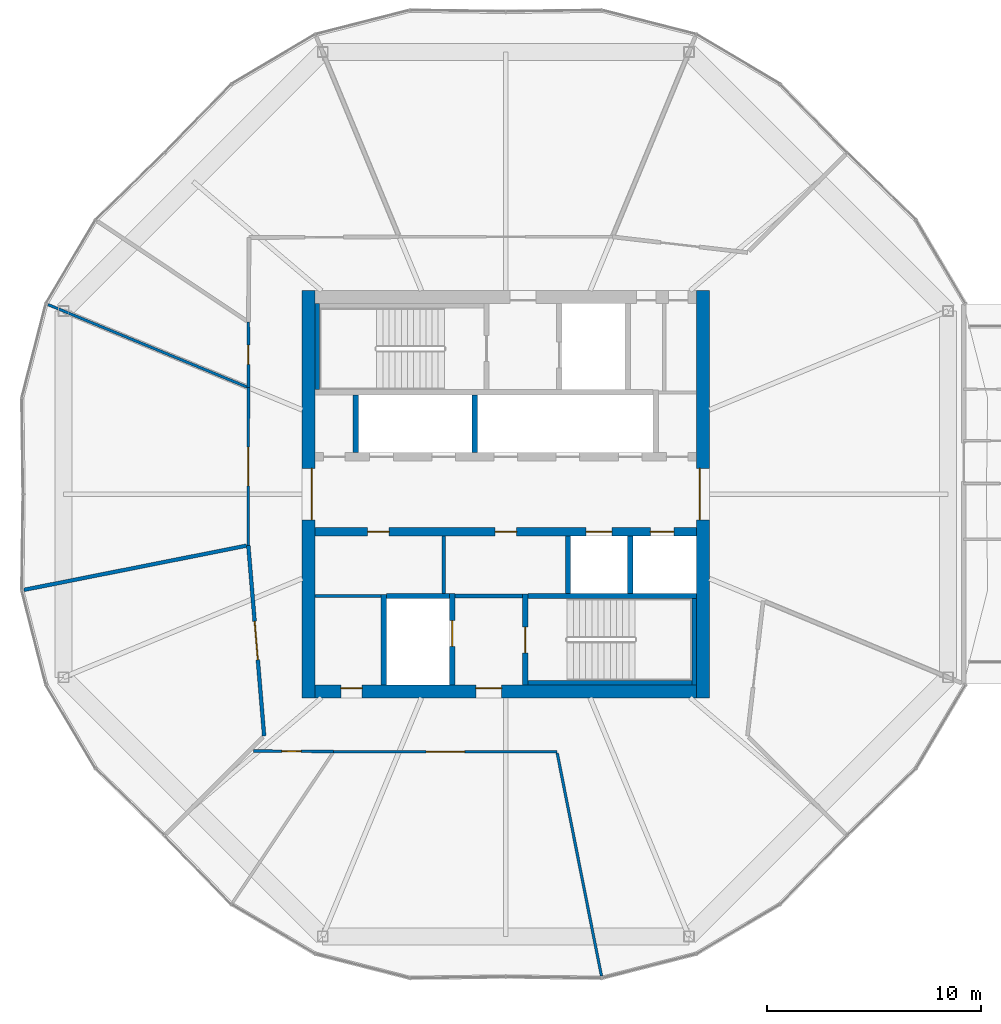
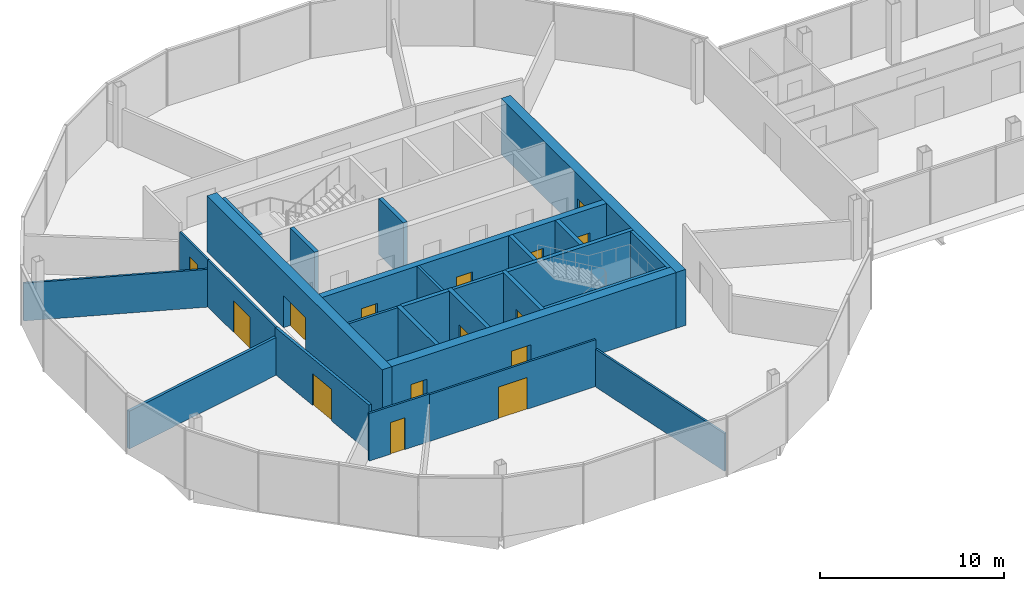
# One storey, part 19 of 25: 27 walls, 15 doors, 15 openings.
"""IFC4 building model written with IfcOpenShell, lengths in metres."""

from ifc_helpers import new_model, si_unit, direction, frame, frame_2d, origin, place, context, subcontext, project, spatial, rectangle, extrude, material, layer, layer_set, type_object, element, fill, save


model = new_model("IFC4")

# Units and contexts
model_context = context("Model", 3, precision=1e-05, world=origin(), true_north=direction((0.0, 1.0)))
body_context = subcontext(model_context, "Body", "Model", "MODEL_VIEW")
ifc_project = project(units=[si_unit("LENGTHUNIT", "METRE"), si_unit("AREAUNIT", "SQUARE_METRE"), si_unit("VOLUMEUNIT", "CUBIC_METRE"), si_unit("PLANEANGLEUNIT", "RADIAN"), si_unit("MASSUNIT", "GRAM", prefix="KILO")], contexts=[model_context])

# Site, building, storey
site_placement = place(None, origin())
site = spatial("IfcSite", under=ifc_project, at=site_placement, CompositionType="ELEMENT")
building_placement = place(site_placement, origin())
building = spatial("IfcBuilding", under=site, at=building_placement, Name="Ogive Gate Towers", CompositionType="ELEMENT")
storey_placement = place(building_placement, frame((0.0, 0.0, 152.800048828125)))
storey = spatial("IfcBuildingStorey", under=building, at=storey_placement, Name="L36", CompositionType="ELEMENT", Elevation=152.800048828125)

# Wall
ifc_material_1 = material(Name="Gypsum board acoustic partition")
ifc_layer_1 = layer(ifc_material_1, 0.175048828125)
ifc_layer_set_1 = layer_set([ifc_layer_1], Name="Acoustic partition 175")
wall_type_1 = type_object("IfcWallType", Name="Acoustic partition 175", PredefinedType="PARTITIONING", material=ifc_layer_set_1)
wall_1_placement = place(storey_placement, frame((-58.490478515625, -4.4658203125, 0.0), z_axis=(0.0, 0.0, 1.0), x_axis=(0.980847503019, 0.194777246675, 0.0)))
element("IfcWall", 1, at=wall_1_placement, inside=storey, type_object=wall_type_1, Name="Partition T1-L36-006", PredefinedType="PARTITIONING", context=body_context, shape_type="SweptSolid", body=[
    extrude(rectangle(XDim=10.591552734375, YDim=0.175048828125, at=frame_2d((5.2958984375, 0.0))), origin(), (0.0, 0.0, 1.0), 2.5),
])

# Wall, opening, door
wall_2_placement = place(storey_placement, frame((-48.01611328125, -2.385986328125, 0.0), z_axis=(0.0, 0.0, 1.0), x_axis=(0.082685439248, -0.99657569614, 0.0)))
wall_2 = element("IfcWall", 2, at=wall_2_placement, inside=storey, type_object=wall_type_1, Name="Partition T1-L36-018", PredefinedType="PARTITIONING", context=body_context, shape_type="SweptSolid", body=[
    extrude(rectangle(XDim=8.9228515625, YDim=0.175048828125, at=frame_2d((4.46142578125, 0.0))), origin(), (0.0, 0.0, 1.0), 3.099853515625),
])
opening_1_placement = place(wall_2_placement, frame((3.56103515625, 0.0, 0.0)))
opening_1 = element("IfcOpeningElement", 3, at=opening_1_placement, cuts=wall_2, Name="Opening T1-L36-D06", PredefinedType="OPENING", context=body_context, shape_type="SweptSolid", body=[
    extrude(rectangle(XDim=1.800048828125, YDim=2.10009765625, at=frame_2d((0.89990234375, 1.050048828125))), frame((0.0, 0.09765625, 0.0), z_axis=(0.0, -1.0, 0.0), x_axis=(1.0, 0.0, 0.0)), (0.0, 0.0, 1.0), 0.195068359375),
])
ifc_material_2 = material(Name="Timber door", Category="wood")
door_type_1 = type_object("IfcDoorType", Name="Door pair 1800", OperationType="NOTDEFINED", PredefinedType="DOOR", material=ifc_material_2)
door_1_placement = place(opening_1_placement, origin())
door_1 = element("IfcDoor", 4, at=door_1_placement, inside=storey, type_object=door_type_1, Name="Door T1-L36-D06", OperationType="DOUBLE_DOOR_DOUBLE_SWING", OverallHeight=2.10009765625, OverallWidth=1.800048828125, PredefinedType="DOOR", context=body_context, shape_type="SweptSolid", body=[
    extrude(rectangle(XDim=1.800048828125, YDim=2.10009765625, at=frame_2d((0.89990234375, 1.050048828125))), frame((0.0, 0.02490234375, 0.0), z_axis=(0.0, -1.0, 0.0), x_axis=(1.0, 0.0, 0.0)), (0.0, 0.0, 1.0), 0.050048828125),
])
fill(opening_1, door_1)

# Wall
ifc_material_3 = material(Name="Masonry blockwork", Category="masonry")
ifc_layer_2 = layer(ifc_material_3, 0.199951171875)
ifc_layer_set_2 = layer_set([ifc_layer_2], Name="Blockwork wall 200 mm")
wall_type_2 = type_object("IfcWallType", Name="Blockwork wall 200 mm", PredefinedType="PARTITIONING", material=ifc_layer_set_2)
wall_3_placement = place(storey_placement, frame((-38.375, -4.75, 0.0), z_axis=(0.0, 0.0, 1.0), x_axis=(1.0, 0.0, 0.0)))
element("IfcWall", 5, at=wall_3_placement, inside=storey, type_object=wall_type_2, Name="T1 L36 Blockwork wall 200 mm", PredefinedType="PARTITIONING", context=body_context, shape_type="SweptSolid", body=[
    extrude(rectangle(XDim=3.14990234375, YDim=0.199951171875, at=frame_2d((1.574951171875, 0.0))), origin(), (0.0, 0.0, 1.0), 3.699951171875),
])

# Wall, openings, doors
ifc_material_4 = material(Name="Concrete C60/75", Category="concrete")
ifc_layer_3 = layer(ifc_material_4, 0.60009765625)
ifc_layer_set_3 = layer_set([ifc_layer_3], Name="Core wall 600 mm")
wall_type_3 = type_object("IfcWallType", Name="Core wall 600 mm", PredefinedType="SHEAR", material=ifc_layer_set_3)
wall_4_placement = place(storey_placement, frame((-44.89990234375, -9.199951171875, 0.0), z_axis=(0.0, 0.0, 1.0), x_axis=(1.0, 0.0, 0.0)))
wall_4 = element("IfcWall", 6, at=wall_4_placement, inside=storey, type_object=wall_type_3, Name="T1 L36 Core wall 600 mm", PredefinedType="SHEAR", context=body_context, shape_type="SweptSolid", body=[
    extrude(rectangle(XDim=17.7998046875, YDim=0.60009765625, at=frame_2d((8.89990234375, 0.0))), origin(), (0.0, 0.0, 1.0), 3.699951171875),
])
opening_2_placement = place(wall_4_placement, frame((7.5, 0.0, 0.0)))
opening_2 = element("IfcOpeningElement", 7, at=opening_2_placement, cuts=wall_4, Name="Opening KD-T1-L36-19", PredefinedType="OPENING", context=body_context, shape_type="SweptSolid", body=[
    extrude(rectangle(XDim=1.199951171875, YDim=2.10009765625, at=frame_2d((0.60009765625, 1.050048828125))), frame((0.0, 0.31005859375, 0.0), z_axis=(0.0, -1.0, 0.0), x_axis=(1.0, 0.0, 0.0)), (0.0, 0.0, 1.0), 0.6201171875),
])
opening_3_placement = place(wall_4_placement, frame((1.199951171875, 0.0, 0.0)))
opening_3 = element("IfcOpeningElement", 8, at=opening_3_placement, cuts=wall_4, Name="Opening KD-T1-L36-22", PredefinedType="OPENING", context=body_context, shape_type="SweptSolid", body=[
    extrude(rectangle(XDim=1.0, YDim=2.10009765625, at=frame_2d((0.5, 1.050048828125))), frame((0.0, 0.31005859375, 0.0), z_axis=(0.0, -1.0, 0.0), x_axis=(1.0, 0.0, 0.0)), (0.0, 0.0, 1.0), 0.6201171875),
])
door_type_2 = type_object("IfcDoorType", Name="Accessible WC door 1000 x 2100", OperationType="NOTDEFINED", PredefinedType="DOOR", material=ifc_material_2)
door_2_placement = place(opening_3_placement, origin())
door_2 = element("IfcDoor", 9, at=door_2_placement, inside=storey, type_object=door_type_2, Name="T1 L36 Core door", OperationType="SINGLE_SWING_LEFT", OverallHeight=2.10009765625, OverallWidth=1.0, PredefinedType="DOOR", context=body_context, shape_type="SweptSolid", body=[
    extrude(rectangle(XDim=1.0, YDim=2.10009765625, at=frame_2d((0.5, 1.050048828125))), frame((0.0, 0.1748046875, 0.0), z_axis=(0.0, -1.0, 0.0), x_axis=(1.0, 0.0, 0.0)), (0.0, 0.0, 1.0), 0.050048828125),
])
fill(opening_3, door_2)
ifc_material_5 = material(Name="Steel fire door", Category="steel")
door_type_3 = type_object("IfcDoorType", Name="Core door FD60S 1200 x 2100", OperationType="NOTDEFINED", PredefinedType="DOOR", material=ifc_material_5)
door_3_placement = place(opening_2_placement, origin())
door_3 = element("IfcDoor", 10, at=door_3_placement, inside=storey, type_object=door_type_3, Name="T1 L36 Fire-fighting lobby door", OperationType="SINGLE_SWING_RIGHT", OverallHeight=2.10009765625, OverallWidth=1.199951171875, PredefinedType="DOOR", context=body_context, shape_type="SweptSolid", body=[
    extrude(rectangle(XDim=1.199951171875, YDim=2.10009765625, at=frame_2d((0.60009765625, 1.050048828125))), frame((0.0, 0.1748046875, 0.0), z_axis=(0.0, -1.0, 0.0), x_axis=(1.0, 0.0, 0.0)), (0.0, 0.0, 1.0), 0.050048828125),
])
fill(opening_2, door_3)

# Wall, opening, door
wall_5_placement = place(storey_placement, frame((-45.199951171875, -9.5, 0.0), z_axis=(0.0, 0.0, 1.0), x_axis=(0.0, 1.0, 0.0)))
wall_5 = element("IfcWall", 11, at=wall_5_placement, inside=storey, type_object=wall_type_3, Name="T1 L36 Core wall 600 mm", PredefinedType="SHEAR", context=body_context, shape_type="SweptSolid", body=[
    extrude(rectangle(XDim=19.0, YDim=0.60009765625, at=frame_2d((9.5, 0.0))), origin(), (0.0, 0.0, 1.0), 3.699951171875),
])
opening_4_placement = place(wall_5_placement, frame((8.300048828125, 0.0, 0.0)))
opening_4 = element("IfcOpeningElement", 12, at=opening_4_placement, cuts=wall_5, Name="Opening KD-T1-L36-01", PredefinedType="OPENING", context=body_context, shape_type="SweptSolid", body=[
    extrude(rectangle(XDim=2.39990234375, YDim=2.10009765625, at=frame_2d((1.199951171875, 1.050048828125))), frame((0.0, 0.31005859375, 0.0), z_axis=(0.0, -1.0, 0.0), x_axis=(1.0, 0.0, 0.0)), (0.0, 0.0, 1.0), 0.6201171875),
])
door_type_4 = type_object("IfcDoorType", Name="Core double door FD60S 2400 x 2100", OperationType="DOUBLE_DOOR_SINGLE_SWING", PredefinedType="DOOR", material=ifc_material_5)
door_4_placement = place(opening_4_placement, origin())
door_4 = element("IfcDoor", 13, at=door_4_placement, inside=storey, type_object=door_type_4, Name="T1 L36 Core door double", OperationType="DOUBLE_DOOR_SINGLE_SWING", OverallHeight=2.10009765625, OverallWidth=2.39990234375, PredefinedType="DOOR", context=body_context, shape_type="SweptSolid", body=[
    extrude(rectangle(XDim=2.39990234375, YDim=2.10009765625, at=frame_2d((1.199951171875, 1.050048828125))), frame((0.0, -0.125, 0.0), z_axis=(0.0, -1.0, 0.0), x_axis=(1.0, 0.0, 0.0)), (0.0, 0.0, 1.0), 0.050048828125),
])
fill(opening_4, door_4)

wall_6_placement = place(storey_placement, frame((-26.800048828125, -9.5, 0.0), z_axis=(0.0, 0.0, 1.0), x_axis=(0.0, 1.0, 0.0)))
wall_6 = element("IfcWall", 14, at=wall_6_placement, inside=storey, type_object=wall_type_3, Name="T1 L36 Core wall 600 mm", PredefinedType="SHEAR", context=body_context, shape_type="SweptSolid", body=[
    extrude(rectangle(XDim=19.0, YDim=0.60009765625, at=frame_2d((9.5, 0.0))), origin(), (0.0, 0.0, 1.0), 3.699951171875),
])
opening_5_placement = place(wall_6_placement, frame((8.300048828125, 0.0, 0.0)))
opening_5 = element("IfcOpeningElement", 15, at=opening_5_placement, cuts=wall_6, Name="Opening KD-T1-L36-02", PredefinedType="OPENING", context=body_context, shape_type="SweptSolid", body=[
    extrude(rectangle(XDim=2.39990234375, YDim=2.10009765625, at=frame_2d((1.199951171875, 1.050048828125))), frame((0.0, 0.31005859375, 0.0), z_axis=(0.0, -1.0, 0.0), x_axis=(1.0, 0.0, 0.0)), (0.0, 0.0, 1.0), 0.6201171875),
])
door_5_placement = place(opening_5_placement, origin())
door_5 = element("IfcDoor", 16, at=door_5_placement, inside=storey, type_object=door_type_4, Name="T1 L36 Core door double", OperationType="DOUBLE_DOOR_SINGLE_SWING", OverallHeight=2.10009765625, OverallWidth=2.39990234375, PredefinedType="DOOR", context=body_context, shape_type="SweptSolid", body=[
    extrude(rectangle(XDim=2.39990234375, YDim=2.10009765625, at=frame_2d((1.199951171875, 1.050048828125))), frame((0.0, 0.1748046875, 0.0), z_axis=(0.0, -1.0, 0.0), x_axis=(1.0, 0.0, 0.0)), (0.0, 0.0, 1.0), 0.050048828125),
])
fill(opening_5, door_5)

# Walls
ifc_material_6 = material(Name="Gypsum board partition")
ifc_layer_4 = layer(ifc_material_6, 0.125)
ifc_layer_set_4 = layer_set([ifc_layer_4], Name="Partition 125")
wall_type_4 = type_object("IfcWallType", Name="Partition 125", PredefinedType="PARTITIONING", material=ifc_layer_set_4)
wall_7_placement = place(storey_placement, frame((-57.369384765625, 8.851318359375, 0.0), z_axis=(0.0, 0.0, 1.0), x_axis=(0.923888548062, -0.382661666176, 0.0)))
element("IfcWall", 17, at=wall_7_placement, inside=storey, type_object=wall_type_4, Name="Partition T1-L36-005", PredefinedType="PARTITIONING", context=body_context, shape_type="SweptSolid", body=[
    extrude(rectangle(XDim=10.06640625, YDim=0.125, at=frame_2d((5.033203125, 0.0))), origin(), (0.0, 0.0, 1.0), 2.5),
])
wall_8_placement = place(storey_placement, frame((-31.5341796875, -22.490478515625, 0.0), z_axis=(0.0, 0.0, 1.0), x_axis=(-0.194758262872, 0.980851272642, 0.0)))
element("IfcWall", 18, at=wall_8_placement, inside=storey, type_object=wall_type_4, Name="Partition T1-L36-009", PredefinedType="PARTITIONING", context=body_context, shape_type="SweptSolid", body=[
    extrude(rectangle(XDim=10.616455078125, YDim=0.125, at=frame_2d((5.30810546875, 0.0))), origin(), (0.0, 0.0, 1.0), 2.5),
])

# Wall, opening, door
wall_9_placement = place(storey_placement, frame((-48.012451171875, 8.032470703125, 0.0), z_axis=(0.0, 0.0, 1.0), x_axis=(0.000319437773, -0.99999994898, 0.0)))
wall_9 = element("IfcWall", 19, at=wall_9_placement, inside=storey, type_object=wall_type_4, Name="Partition T1-L36-016", PredefinedType="PARTITIONING", context=body_context, shape_type="SweptSolid", body=[
    extrude(rectangle(XDim=3.05712890625, YDim=0.125, at=frame_2d((1.528564453125, 0.0))), origin(), (0.0, 0.0, 1.0), 3.099853515625),
])
opening_6_placement = place(wall_9_placement, frame((1.0791015625, 0.0, 0.0)))
opening_6 = element("IfcOpeningElement", 20, at=opening_6_placement, cuts=wall_9, Name="Opening T1-L36-D04", PredefinedType="OPENING", context=body_context, shape_type="SweptSolid", body=[
    extrude(rectangle(XDim=0.89990234375, YDim=2.10009765625, at=frame_2d((0.449951171875, 1.050048828125))), frame((0.0, 0.072509765625, 0.0), z_axis=(0.0, -1.0, 0.0), x_axis=(1.0, 0.0, 0.0)), (0.0, 0.0, 1.0), 0.14501953125),
])
door_type_5 = type_object("IfcDoorType", Name="Door 900", OperationType="NOTDEFINED", PredefinedType="DOOR", material=ifc_material_2)
door_6_placement = place(opening_6_placement, origin())
door_6 = element("IfcDoor", 21, at=door_6_placement, inside=storey, type_object=door_type_5, Name="Door T1-L36-D04", OperationType="SINGLE_SWING_LEFT", OverallHeight=2.10009765625, OverallWidth=0.89990234375, PredefinedType="DOOR", context=body_context, shape_type="SweptSolid", body=[
    extrude(rectangle(XDim=0.89990234375, YDim=2.10009765625, at=frame_2d((0.449951171875, 1.050048828125))), frame((0.0, 0.02490234375, 0.0), z_axis=(0.0, -1.0, 0.0), x_axis=(1.0, 0.0, 0.0)), (0.0, 0.0, 1.0), 0.050048828125),
])
fill(opening_6, door_6)

wall_10_placement = place(storey_placement, frame((-48.011474609375, 4.975341796875, 0.0), z_axis=(0.0, 0.0, 1.0), x_axis=(-0.000630140496, -0.999999801461, 0.0)))
wall_10 = element("IfcWall", 22, at=wall_10_placement, inside=storey, type_object=wall_type_4, Name="Partition T1-L36-017", PredefinedType="PARTITIONING", context=body_context, shape_type="SweptSolid", body=[
    extrude(rectangle(XDim=7.361328125, YDim=0.125, at=frame_2d((3.6806640625, 0.0))), origin(), (0.0, 0.0, 1.0), 3.099853515625),
])
opening_7_placement = place(wall_10_placement, frame((2.781005859375, 0.0, 0.0)))
opening_7 = element("IfcOpeningElement", 23, at=opening_7_placement, cuts=wall_10, Name="Opening T1-L36-D05", PredefinedType="OPENING", context=body_context, shape_type="SweptSolid", body=[
    extrude(rectangle(XDim=1.800048828125, YDim=2.10009765625, at=frame_2d((0.89990234375, 1.050048828125))), frame((0.0, 0.072509765625, 0.0), z_axis=(0.0, -1.0, 0.0), x_axis=(1.0, 0.0, 0.0)), (0.0, 0.0, 1.0), 0.14501953125),
])
door_7_placement = place(opening_7_placement, origin())
door_7 = element("IfcDoor", 24, at=door_7_placement, inside=storey, type_object=door_type_1, Name="Door T1-L36-D05", OperationType="DOUBLE_DOOR_DOUBLE_SWING", OverallHeight=2.10009765625, OverallWidth=1.800048828125, PredefinedType="DOOR", context=body_context, shape_type="SweptSolid", body=[
    extrude(rectangle(XDim=1.800048828125, YDim=2.10009765625, at=frame_2d((0.89990234375, 1.050048828125))), frame((0.0, 0.02490234375, 0.0), z_axis=(0.0, -1.0, 0.0), x_axis=(1.0, 0.0, 0.0)), (0.0, 0.0, 1.0), 0.050048828125),
])
fill(opening_7, door_7)

wall_11_placement = place(storey_placement, frame((-47.785888671875, -11.981689453125, 0.0), z_axis=(0.0, 0.0, 1.0), x_axis=(0.999966417311, -0.00819537977, 0.0)))
wall_11 = element("IfcWall", 25, at=wall_11_placement, inside=storey, type_object=wall_type_4, Name="Partition T1-L36-019", PredefinedType="PARTITIONING", context=body_context, shape_type="SweptSolid", body=[
    extrude(rectangle(XDim=3.753662109375, YDim=0.125, at=frame_2d((1.876953125, 0.0))), origin(), (0.0, 0.0, 1.0), 3.14990234375),
])
opening_8_placement = place(wall_11_placement, frame((1.330078125, 0.0, 0.0)))
opening_8 = element("IfcOpeningElement", 26, at=opening_8_placement, cuts=wall_11, Name="Opening T1-L36-D07", PredefinedType="OPENING", context=body_context, shape_type="SweptSolid", body=[
    extrude(rectangle(XDim=0.89990234375, YDim=2.10009765625, at=frame_2d((0.449951171875, 1.050048828125))), frame((0.0, 0.072509765625, 0.0), z_axis=(0.0, -1.0, 0.0), x_axis=(1.0, 0.0, 0.0)), (0.0, 0.0, 1.0), 0.14501953125),
])
door_8_placement = place(opening_8_placement, origin())
door_8 = element("IfcDoor", 27, at=door_8_placement, inside=storey, type_object=door_type_5, Name="Door T1-L36-D07", OperationType="SINGLE_SWING_LEFT", OverallHeight=2.10009765625, OverallWidth=0.89990234375, PredefinedType="DOOR", context=body_context, shape_type="SweptSolid", body=[
    extrude(rectangle(XDim=0.89990234375, YDim=2.10009765625, at=frame_2d((0.449951171875, 1.050048828125))), frame((0.0, 0.02490234375, 0.0), z_axis=(0.0, -1.0, 0.0), x_axis=(1.0, 0.0, 0.0)), (0.0, 0.0, 1.0), 0.050048828125),
])
fill(opening_8, door_8)

wall_12_placement = place(storey_placement, frame((-44.032470703125, -12.012451171875, 0.0), z_axis=(0.0, 0.0, 1.0), x_axis=(0.999999938223, -0.000351502064, 0.0)))
wall_12 = element("IfcWall", 28, at=wall_12_placement, inside=storey, type_object=wall_type_4, Name="Partition T1-L36-020", PredefinedType="PARTITIONING", context=body_context, shape_type="SweptSolid", body=[
    extrude(rectangle(XDim=10.41845703125, YDim=0.125, at=frame_2d((5.209228515625, 0.0))), origin(), (0.0, 0.0, 1.0), 3.099853515625),
])
opening_9_placement = place(wall_12_placement, frame((4.30908203125, 0.0, 0.0)))
opening_9 = element("IfcOpeningElement", 29, at=opening_9_placement, cuts=wall_12, Name="Opening T1-L36-D08", PredefinedType="OPENING", context=body_context, shape_type="SweptSolid", body=[
    extrude(rectangle(XDim=1.800048828125, YDim=2.10009765625, at=frame_2d((0.89990234375, 1.050048828125))), frame((0.0, 0.072509765625, 0.0), z_axis=(0.0, -1.0, 0.0), x_axis=(1.0, 0.0, 0.0)), (0.0, 0.0, 1.0), 0.14501953125),
])
door_9_placement = place(opening_9_placement, origin())
door_9 = element("IfcDoor", 30, at=door_9_placement, inside=storey, type_object=door_type_1, Name="Door T1-L36-D08", OperationType="DOUBLE_DOOR_DOUBLE_SWING", OverallHeight=2.10009765625, OverallWidth=1.800048828125, PredefinedType="DOOR", context=body_context, shape_type="SweptSolid", body=[
    extrude(rectangle(XDim=1.800048828125, YDim=2.10009765625, at=frame_2d((0.89990234375, 1.050048828125))), frame((0.0, 0.02490234375, 0.0), z_axis=(0.0, -1.0, 0.0), x_axis=(1.0, 0.0, 0.0)), (0.0, 0.0, 1.0), 0.050048828125),
])
fill(opening_9, door_9)

# Walls
ifc_layer_5 = layer(ifc_material_6, 0.14990234375)
ifc_layer_set_5 = layer_set([ifc_layer_5], Name="Room partition 150 mm")
wall_type_5 = type_object("IfcWallType", Name="Room partition 150 mm", PredefinedType="PARTITIONING", material=ifc_layer_set_5)
wall_13_placement = place(storey_placement, frame((-44.89990234375, -4.75, 0.0), z_axis=(0.0, 0.0, 1.0), x_axis=(1.0, 0.0, 0.0)))
element("IfcWall", 31, at=wall_13_placement, inside=storey, type_object=wall_type_5, Name="T1 L36 Room partition 150 mm", PredefinedType="PARTITIONING", context=body_context, shape_type="SweptSolid", body=[
    extrude(rectangle(XDim=3.074951171875, YDim=0.14990234375, at=frame_2d((1.53759765625, 0.0))), origin(), (0.0, 0.0, 1.0), 3.699951171875),
])
wall_14_placement = place(storey_placement, frame((-38.89990234375, -4.625, 0.0), z_axis=(0.0, 0.0, 1.0), x_axis=(0.0, 1.0, 0.0)))
element("IfcWall", 32, at=wall_14_placement, inside=storey, type_object=wall_type_5, Name="T1 L36 Room partition 150 mm", PredefinedType="PARTITIONING", context=body_context, shape_type="SweptSolid", body=[
    extrude(rectangle(XDim=2.675048828125, YDim=0.14990234375, at=frame_2d((1.33740234375, 0.0))), origin(), (0.0, 0.0, 1.0), 3.699951171875),
])
ifc_layer_6 = layer(ifc_material_4, 0.25)
ifc_layer_set_6 = layer_set([ifc_layer_6], Name="Shaft wall 250 mm")
wall_type_6 = type_object("IfcWallType", Name="Shaft wall 250 mm", PredefinedType="SHEAR", material=ifc_layer_set_6)
wall_15_placement = place(storey_placement, frame((-41.574951171875, -4.75, 0.0), z_axis=(0.0, 0.0, 1.0), x_axis=(1.0, 0.0, 0.0)))
element("IfcWall", 33, at=wall_15_placement, inside=storey, type_object=wall_type_6, Name="T1 L36 Shaft wall 250 mm", PredefinedType="SHEAR", context=body_context, shape_type="SweptSolid", body=[
    extrude(rectangle(XDim=2.949951171875, YDim=0.25, at=frame_2d((1.47509765625, 0.0))), origin(), (0.0, 0.0, 1.0), 3.699951171875),
])
wall_16_placement = place(storey_placement, frame((-34.97509765625, -4.75, 0.0), z_axis=(0.0, 0.0, 1.0), x_axis=(1.0, 0.0, 0.0)))
element("IfcWall", 34, at=wall_16_placement, inside=storey, type_object=wall_type_6, Name="T1 L36 Shaft wall 250 mm", PredefinedType="SHEAR", context=body_context, shape_type="SweptSolid", body=[
    extrude(rectangle(XDim=7.875, YDim=0.25, at=frame_2d((3.9375, 0.0))), origin(), (0.0, 0.0, 1.0), 3.699951171875),
])
wall_17_placement = place(storey_placement, frame((-43.0, 1.949951171875, 0.0), z_axis=(0.0, 0.0, 1.0), x_axis=(0.0, 1.0, 0.0)))
element("IfcWall", 35, at=wall_17_placement, inside=storey, type_object=wall_type_6, Name="T1 L36 Shaft wall 250 mm", PredefinedType="SHEAR", context=body_context, shape_type="SweptSolid", body=[
    extrude(rectangle(XDim=2.675048828125, YDim=0.25, at=frame_2d((1.33740234375, 0.0))), origin(), (0.0, 0.0, 1.0), 3.699951171875),
])
wall_18_placement = place(storey_placement, frame((-41.699951171875, -8.89990234375, 0.0), z_axis=(0.0, 0.0, 1.0), x_axis=(0.0, 1.0, 0.0)))
element("IfcWall", 36, at=wall_18_placement, inside=storey, type_object=wall_type_6, Name="T1 L36 Shaft wall 250 mm", PredefinedType="SHEAR", context=body_context, shape_type="SweptSolid", body=[
    extrude(rectangle(XDim=4.224853515625, YDim=0.25, at=frame_2d((2.1123046875, 0.0))), origin(), (0.0, 0.0, 1.0), 3.699951171875),
])

# Wall, opening, door
wall_19_placement = place(storey_placement, frame((-38.5, -8.89990234375, 0.0), z_axis=(0.0, 0.0, 1.0), x_axis=(0.0, 1.0, 0.0)))
wall_19 = element("IfcWall", 37, at=wall_19_placement, inside=storey, type_object=wall_type_6, Name="T1 L36 Shaft wall 250 mm", PredefinedType="SHEAR", context=body_context, shape_type="SweptSolid", body=[
    extrude(rectangle(XDim=4.27490234375, YDim=0.25, at=frame_2d((2.137451171875, 0.0))), origin(), (0.0, 0.0, 1.0), 3.699951171875),
])
opening_10_placement = place(wall_19_placement, frame((1.800048828125, 0.0, 0.0)))
opening_10 = element("IfcOpeningElement", 38, at=opening_10_placement, cuts=wall_19, Name="Opening LD-T1-L36-13", PredefinedType="OPENING", context=body_context, shape_type="SweptSolid", body=[
    extrude(rectangle(XDim=1.199951171875, YDim=2.10009765625, at=frame_2d((0.60009765625, 1.050048828125))), frame((0.0, 0.135009765625, 0.0), z_axis=(0.0, -1.0, 0.0), x_axis=(1.0, 0.0, 0.0)), (0.0, 0.0, 1.0), 0.27001953125),
])
ifc_material_7 = material(Name="Stainless steel landing door", Category="steel")
door_type_6 = type_object("IfcDoorType", Name="Landing door 1200 x 2100", OperationType="SLIDING_TO_LEFT", PredefinedType="DOOR", material=ifc_material_7)
door_10_placement = place(opening_10_placement, origin())
door_10 = element("IfcDoor", 39, at=door_10_placement, inside=storey, type_object=door_type_6, Name="T1 L36 Lift landing door FF2", OperationType="SLIDING_TO_LEFT", OverallHeight=2.10009765625, OverallWidth=1.199951171875, PredefinedType="DOOR", context=body_context, shape_type="SweptSolid", body=[
    extrude(rectangle(XDim=1.199951171875, YDim=2.10009765625, at=frame_2d((0.60009765625, 1.050048828125))), frame((0.0, 0.02490234375, 0.0), z_axis=(0.0, -1.0, 0.0), x_axis=(1.0, 0.0, 0.0)), (0.0, 0.0, 1.0), 0.050048828125),
])
fill(opening_10, door_10)

# Wall
wall_20_placement = place(storey_placement, frame((-37.449951171875, 1.949951171875, 0.0), z_axis=(0.0, 0.0, 1.0), x_axis=(0.0, 1.0, 0.0)))
element("IfcWall", 40, at=wall_20_placement, inside=storey, type_object=wall_type_6, Name="T1 L36 Shaft wall 250 mm", PredefinedType="SHEAR", context=body_context, shape_type="SweptSolid", body=[
    extrude(rectangle(XDim=2.675048828125, YDim=0.25, at=frame_2d((1.33740234375, 0.0))), origin(), (0.0, 0.0, 1.0), 3.699951171875),
])

# Wall, opening, door
wall_21_placement = place(storey_placement, frame((-35.10009765625, -8.89990234375, 0.0), z_axis=(0.0, 0.0, 1.0), x_axis=(0.0, 1.0, 0.0)))
wall_21 = element("IfcWall", 41, at=wall_21_placement, inside=storey, type_object=wall_type_6, Name="T1 L36 Shaft wall 250 mm", PredefinedType="SHEAR", context=body_context, shape_type="SweptSolid", body=[
    extrude(rectangle(XDim=4.25, YDim=0.25, at=frame_2d((2.125, 0.0))), origin(), (0.0, 0.0, 1.0), 3.699951171875),
])
opening_11_placement = place(wall_21_placement, frame((1.5, 0.0, 0.0)))
opening_11 = element("IfcOpeningElement", 42, at=opening_11_placement, cuts=wall_21, Name="Opening KD-T1-L36-17", PredefinedType="OPENING", context=body_context, shape_type="SweptSolid", body=[
    extrude(rectangle(XDim=1.199951171875, YDim=2.10009765625, at=frame_2d((0.60009765625, 1.050048828125))), frame((0.0, 0.135009765625, 0.0), z_axis=(0.0, -1.0, 0.0), x_axis=(1.0, 0.0, 0.0)), (0.0, 0.0, 1.0), 0.27001953125),
])
door_11_placement = place(opening_11_placement, origin())
door_11 = element("IfcDoor", 43, at=door_11_placement, inside=storey, type_object=door_type_3, Name="T1 L36 Stair door", OperationType="SINGLE_SWING_RIGHT", OverallHeight=2.10009765625, OverallWidth=1.199951171875, PredefinedType="DOOR", context=body_context, shape_type="SweptSolid", body=[
    extrude(rectangle(XDim=1.199951171875, YDim=2.10009765625, at=frame_2d((0.60009765625, 1.050048828125))), frame((0.0, 0.02490234375, 0.0), z_axis=(0.0, -1.0, 0.0), x_axis=(1.0, 0.0, 0.0)), (0.0, 0.0, 1.0), 0.050048828125),
])
fill(opening_11, door_11)

# Walls
for number, where, z_axis, x_axis, name in (
    (44, (-33.10009765625, -4.625, 0.0), (0.0, 0.0, 1.0), (0.0, 1.0, 0.0), "T1 L36 Shaft wall 250 mm"),
    (45, (-30.199951171875, -4.625, 0.0), (0.0, 0.0, 1.0), (0.0, 1.0, 0.0), "T1 L36 Shaft wall 250 mm"),
):
    element("IfcWall", number, at=place(storey_placement, frame(where, z_axis=z_axis, x_axis=x_axis)), inside=storey, type_object=wall_type_6, Name=name, PredefinedType="SHEAR", context=body_context, shape_type="SweptSolid", body=[
        extrude(rectangle(XDim=2.675048828125, YDim=0.25, at=frame_2d((1.33740234375, 0.0))), origin(), (0.0, 0.0, 1.0), 3.699951171875),
    ])

# Wall, openings, doors
ifc_layer_7 = layer(ifc_material_4, 0.39990234375)
ifc_layer_set_7 = layer_set([ifc_layer_7], Name="Spine wall 400 mm")
wall_type_7 = type_object("IfcWallType", Name="Spine wall 400 mm", PredefinedType="SHEAR", material=ifc_layer_set_7)
wall_22_placement = place(storey_placement, frame((-44.89990234375, -1.75, 0.0), z_axis=(0.0, 0.0, 1.0), x_axis=(1.0, 0.0, 0.0)))
wall_22 = element("IfcWall", 46, at=wall_22_placement, inside=storey, type_object=wall_type_7, Name="T1 L36 Spine wall 400 mm", PredefinedType="SHEAR", context=body_context, shape_type="SweptSolid", body=[
    extrude(rectangle(XDim=17.7998046875, YDim=0.39990234375, at=frame_2d((8.89990234375, 0.0))), origin(), (0.0, 0.0, 1.0), 3.699951171875),
])
opening_12_placement = place(wall_22_placement, frame((12.64990234375, 0.0, 0.0)))
opening_12 = element("IfcOpeningElement", 47, at=opening_12_placement, cuts=wall_22, Name="Opening LD-T1-L36-10", PredefinedType="OPENING", context=body_context, shape_type="SweptSolid", body=[
    extrude(rectangle(XDim=1.199951171875, YDim=2.10009765625, at=frame_2d((0.60009765625, 1.050048828125))), frame((0.0, 0.2099609375, 0.0), z_axis=(0.0, -1.0, 0.0), x_axis=(1.0, 0.0, 0.0)), (0.0, 0.0, 1.0), 0.419921875),
])
opening_13_placement = place(wall_22_placement, frame((15.64990234375, 0.0, 0.0)))
opening_13 = element("IfcOpeningElement", 48, at=opening_13_placement, cuts=wall_22, Name="Opening LD-T1-L36-11", PredefinedType="OPENING", context=body_context, shape_type="SweptSolid", body=[
    extrude(rectangle(XDim=1.10009765625, YDim=2.10009765625, at=frame_2d((0.550048828125, 1.050048828125))), frame((0.0, 0.2099609375, 0.0), z_axis=(0.0, -1.0, 0.0), x_axis=(1.0, 0.0, 0.0)), (0.0, 0.0, 1.0), 0.419921875),
])
opening_14_placement = place(wall_22_placement, frame((2.449951171875, 0.0, 0.0)))
opening_14 = element("IfcOpeningElement", 49, at=opening_14_placement, cuts=wall_22, Name="Opening KD-T1-L36-14", PredefinedType="OPENING", context=body_context, shape_type="SweptSolid", body=[
    extrude(rectangle(XDim=1.0, YDim=2.10009765625, at=frame_2d((0.5, 1.050048828125))), frame((0.0, 0.2099609375, 0.0), z_axis=(0.0, -1.0, 0.0), x_axis=(1.0, 0.0, 0.0)), (0.0, 0.0, 1.0), 0.419921875),
])
opening_15_placement = place(wall_22_placement, frame((8.39990234375, 0.0, 0.0)))
opening_15 = element("IfcOpeningElement", 50, at=opening_15_placement, cuts=wall_22, Name="Opening KD-T1-L36-15", PredefinedType="OPENING", context=body_context, shape_type="SweptSolid", body=[
    extrude(rectangle(XDim=1.0, YDim=2.10009765625, at=frame_2d((0.5, 1.050048828125))), frame((0.0, 0.2099609375, 0.0), z_axis=(0.0, -1.0, 0.0), x_axis=(1.0, 0.0, 0.0)), (0.0, 0.0, 1.0), 0.419921875),
])
door_type_7 = type_object("IfcDoorType", Name="Core door FD60S 1000 x 2100", OperationType="NOTDEFINED", PredefinedType="DOOR", material=ifc_material_5)
door_12_placement = place(opening_14_placement, origin())
door_12 = element("IfcDoor", 51, at=door_12_placement, inside=storey, type_object=door_type_7, Name="T1 L36 Core door", OperationType="SINGLE_SWING_LEFT", OverallHeight=2.10009765625, OverallWidth=1.0, PredefinedType="DOOR", context=body_context, shape_type="SweptSolid", body=[
    extrude(rectangle(XDim=1.0, YDim=2.10009765625, at=frame_2d((0.5, 1.050048828125))), frame((0.0, 0.02490234375, 0.0), z_axis=(0.0, -1.0, 0.0), x_axis=(1.0, 0.0, 0.0)), (0.0, 0.0, 1.0), 0.050048828125),
])
fill(opening_14, door_12)
door_13_placement = place(opening_15_placement, origin())
door_13 = element("IfcDoor", 52, at=door_13_placement, inside=storey, type_object=door_type_7, Name="T1 L36 Core door", OperationType="SINGLE_SWING_RIGHT", OverallHeight=2.10009765625, OverallWidth=1.0, PredefinedType="DOOR", context=body_context, shape_type="SweptSolid", body=[
    extrude(rectangle(XDim=1.0, YDim=2.10009765625, at=frame_2d((0.5, 1.050048828125))), frame((0.0, 0.02490234375, 0.0), z_axis=(0.0, -1.0, 0.0), x_axis=(1.0, 0.0, 0.0)), (0.0, 0.0, 1.0), 0.050048828125),
])
fill(opening_15, door_13)
door_type_8 = type_object("IfcDoorType", Name="Landing door 1100 x 2100", OperationType="SLIDING_TO_LEFT", PredefinedType="DOOR", material=ifc_material_7)
door_14_placement = place(opening_13_placement, origin())
door_14 = element("IfcDoor", 53, at=door_14_placement, inside=storey, type_object=door_type_8, Name="T1 L36 Lift landing door B6", OperationType="SLIDING_TO_LEFT", OverallHeight=2.10009765625, OverallWidth=1.10009765625, PredefinedType="DOOR", context=body_context, shape_type="SweptSolid", body=[
    extrude(rectangle(XDim=1.10009765625, YDim=2.10009765625, at=frame_2d((0.550048828125, 1.050048828125))), frame((0.0, 0.02490234375, 0.0), z_axis=(0.0, -1.0, 0.0), x_axis=(1.0, 0.0, 0.0)), (0.0, 0.0, 1.0), 0.050048828125),
])
fill(opening_13, door_14)
door_15_placement = place(opening_12_placement, origin())
door_15 = element("IfcDoor", 54, at=door_15_placement, inside=storey, type_object=door_type_6, Name="T1 L36 Lift landing door SVC", OperationType="SLIDING_TO_LEFT", OverallHeight=2.10009765625, OverallWidth=1.199951171875, PredefinedType="DOOR", context=body_context, shape_type="SweptSolid", body=[
    extrude(rectangle(XDim=1.199951171875, YDim=2.10009765625, at=frame_2d((0.60009765625, 1.050048828125))), frame((0.0, 0.02490234375, 0.0), z_axis=(0.0, -1.0, 0.0), x_axis=(1.0, 0.0, 0.0)), (0.0, 0.0, 1.0), 0.050048828125),
])
fill(opening_12, door_15)

# Walls
ifc_layer_8 = layer(ifc_material_4, 0.199951171875)
ifc_layer_set_8 = layer_set([ifc_layer_8], Name="Stair wall 200 mm")
wall_type_8 = type_object("IfcWallType", Name="Stair wall 200 mm", PredefinedType="SHEAR", material=ifc_layer_set_8)
wall_23_placement = place(storey_placement, frame((-34.97509765625, -8.800048828125, 0.0), z_axis=(0.0, 0.0, 1.0), x_axis=(1.0, 0.0, 0.0)))
element("IfcWall", 55, at=wall_23_placement, inside=storey, type_object=wall_type_8, Name="T1 L36 Stair wall 200 mm", PredefinedType="SHEAR", context=body_context, shape_type="SweptSolid", body=[
    extrude(rectangle(XDim=7.675048828125, YDim=0.199951171875, at=frame_2d((3.83740234375, 0.0))), origin(), (0.0, 0.0, 1.0), 3.699951171875),
])
for number, where, z_axis, x_axis, name in (
    (56, (-44.800048828125, 4.875, 0.0), (0.0, 0.0, 1.0), (0.0, 1.0, 0.0), "T1 L36 Stair wall 200 mm"),
    (57, (-27.199951171875, -8.89990234375, 0.0), (0.0, 0.0, 1.0), (0.0, 1.0, 0.0), "T1 L36 Stair wall 200 mm"),
):
    element("IfcWall", number, at=place(storey_placement, frame(where, z_axis=z_axis, x_axis=x_axis)), inside=storey, type_object=wall_type_8, Name=name, PredefinedType="SHEAR", context=body_context, shape_type="SweptSolid", body=[
        extrude(rectangle(XDim=4.02490234375, YDim=0.199951171875, at=frame_2d((2.012451171875, 0.0))), origin(), (0.0, 0.0, 1.0), 3.699951171875),
    ])

save(model, "model.ifc")
